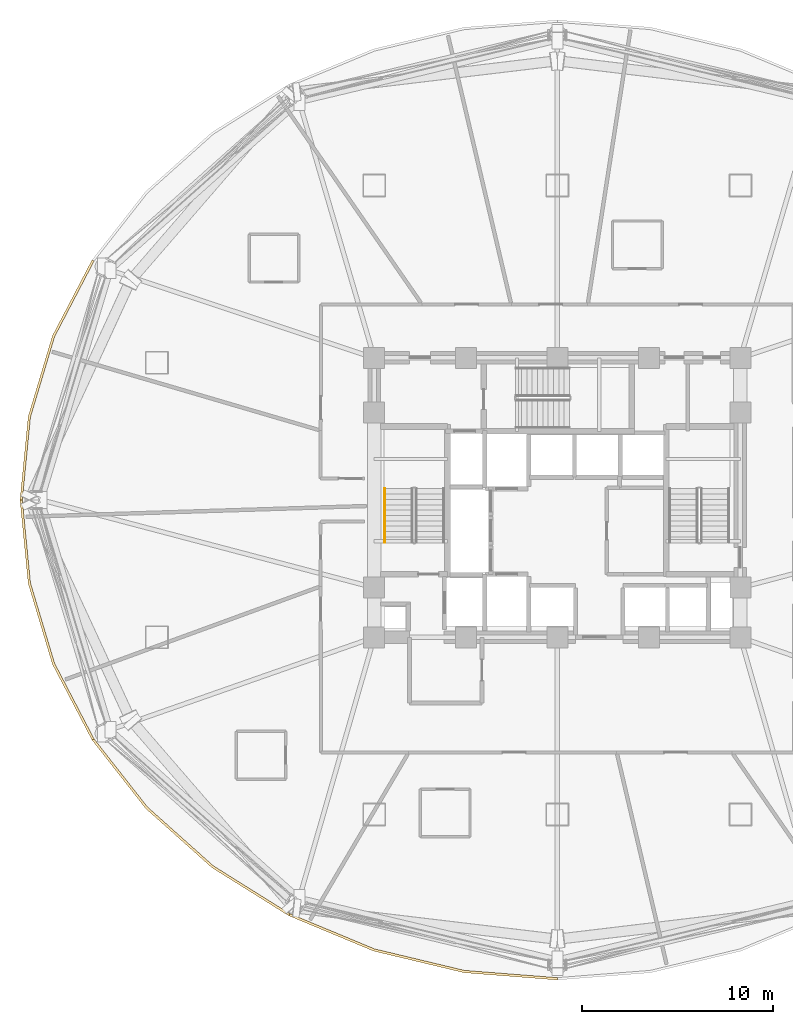
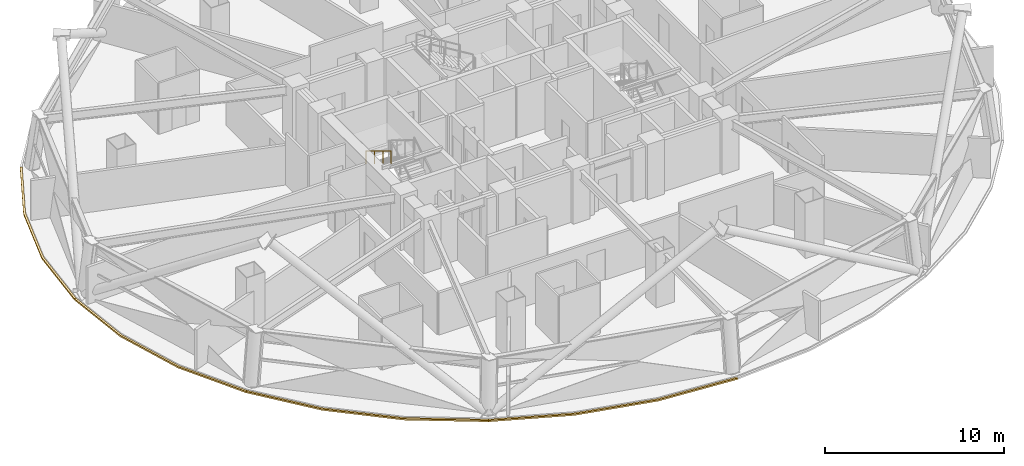
# One storey, part 9 of 13: 4 coverings, 1 railing.
"""IFC4 building model written with IfcOpenShell, lengths in metres."""

from ifc_helpers import new_model, si_unit, direction, frame, origin, origin_2d, place, context, subcontext, project, spatial, polyline, rectangle, outline, extrude, material, layer, layer_set, type_object, element, save


model = new_model("IFC4")

# Units and contexts
model_context = context("Model", 3, precision=1e-05, world=origin(), true_north=direction((0.0, 1.0)))
body_context = subcontext(model_context, "Body", "Model", "MODEL_VIEW")
ifc_project = project(units=[si_unit("LENGTHUNIT", "METRE"), si_unit("AREAUNIT", "SQUARE_METRE"), si_unit("VOLUMEUNIT", "CUBIC_METRE"), si_unit("PLANEANGLEUNIT", "RADIAN"), si_unit("MASSUNIT", "GRAM", prefix="KILO")], contexts=[model_context])

# Site, building, storey
site_placement = place(None, origin())
site = spatial("IfcSite", under=ifc_project, at=site_placement, CompositionType="ELEMENT")
building_placement = place(site_placement, origin())
building = spatial("IfcBuilding", under=site, at=building_placement, Name="Vantalir Tower", CompositionType="ELEMENT")
storey_placement = place(building_placement, frame((0.0, 0.0, 87.0)))
storey = spatial("IfcBuildingStorey", under=building, at=storey_placement, Name="L21", CompositionType="ELEMENT", Elevation=87.0)

# Coverings
ifc_material_1 = material(Name="Anodised champagne aluminium sill fascia", Category="aluminium")
ifc_layer = layer(ifc_material_1, 0.125)
ifc_layer_set = layer_set([ifc_layer], Name="Anodised champagne aluminium sill fascia")
covering_type = type_object("IfcCoveringType", Name="COV-SLAB-FASCIA-125", PredefinedType="CLADDING", material=ifc_layer_set)
covering_1_placement = place(storey_placement, frame((0.0, 0.0, -0.179931640625)))
element("IfcCovering", 1, at=covering_1_placement, inside=storey, type_object=covering_type, Name="L21 Perimeter Slab-Edge Sill Fascia 06", PredefinedType="CLADDING", context=body_context, shape_type="SweptSolid", body=[
    extrude(outline(polyline([(7.10009765625, 37.5849609375), (5.02392578125, 33.60888671875), (3.7529296875, 29.37109375), (3.324951171875, 25.0), (3.449951171875, 25.0), (3.8759765625, 29.34912109375), (5.14208984375, 33.56591796875), (7.2080078125, 37.52197265625), (7.10009765625, 37.5849609375)])), origin(), (0.0, 0.0, 1.0), 0.10498046875),
])
covering_2_placement = place(storey_placement, frame((0.0, 0.0, -0.179931640625)))
element("IfcCovering", 2, at=covering_2_placement, inside=storey, type_object=covering_type, Name="L21 Perimeter Slab-Edge Sill Fascia 07", PredefinedType="CLADDING", context=body_context, shape_type="SweptSolid", body=[
    extrude(outline(polyline([(3.324951171875, 25.0), (3.7529296875, 20.62890625), (5.02392578125, 16.39111328125), (7.10009765625, 12.4150390625), (7.2080078125, 12.47705078125), (5.14208984375, 16.43408203125), (3.8759765625, 20.65087890625), (3.449951171875, 25.0), (3.324951171875, 25.0)])), origin(), (0.0, 0.0, 1.0), 0.10498046875),
])
covering_3_placement = place(storey_placement, frame((0.0, 0.0, -0.179931640625)))
element("IfcCovering", 3, at=covering_3_placement, inside=storey, type_object=covering_type, Name="L21 Perimeter Slab-Edge Sill Fascia 08", PredefinedType="CLADDING", context=body_context, shape_type="SweptSolid", body=[
    extrude(outline(polyline([(7.10009765625, 12.4150390625), (9.9169921875, 8.821044921875), (13.388916015625, 5.718994140625), (17.412109375, 3.201904296875), (17.47509765625, 3.31005859375), (13.469970703125, 5.81396484375), (10.011962890625, 8.90087890625), (7.2080078125, 12.47705078125), (7.10009765625, 12.4150390625)])), origin(), (0.0, 0.0, 1.0), 0.10498046875),
])
covering_4_placement = place(storey_placement, frame((0.0, 0.0, -0.179931640625)))
element("IfcCovering", 4, at=covering_4_placement, inside=storey, type_object=covering_type, Name="L21 Perimeter Slab-Edge Sill Fascia 09", PredefinedType="CLADDING", context=body_context, shape_type="SweptSolid", body=[
    extrude(outline(polyline([(17.412109375, 3.201904296875), (21.864013671875, 1.347900390625), (26.60693359375, 0.2119140625), (31.5, -0.169921875), (31.5, -0.044921875), (26.62890625, 0.3349609375), (21.906005859375, 1.465087890625), (17.47509765625, 3.31005859375), (17.412109375, 3.201904296875)])), origin(), (0.0, 0.0, 1.0), 0.10498046875),
])

# Railing
ifc_material_2 = material(Name="Brushed stainless steel tubular handrail", Category="steel")
railing_type = type_object("IfcRailingType", Name="RAL-HANDRAIL-900", PredefinedType="HANDRAIL", material=ifc_material_2)
railing_placement = place(storey_placement, frame((22.449951171875, 25.590087890625, 2.04541015625)))
element("IfcRailing", 5, at=railing_placement, inside=storey, type_object=railing_type, Name="L21 ST1 stair handrail 2", PredefinedType="HANDRAIL", context=body_context, shape_type="SweptSolid", body=[
    extrude(rectangle(XDim=0.048095703125, YDim=0.048095703125, at=origin_2d()), frame((0.0, 0.0, 0.8759765625), z_axis=(0.0, -0.854169791009, 0.51999420009), x_axis=(1.0, 0.0, 0.0)), (0.0, 0.0, 1.0), 3.278076171875),
    extrude(rectangle(XDim=0.0419921875, YDim=0.0419921875, at=origin_2d()), origin(), (0.0, 0.0, 1.0), 0.851806640625),
    extrude(rectangle(XDim=0.0419921875, YDim=0.0419921875, at=origin_2d()), frame((0.0, -0.933349609375, 0.568115234375)), (0.0, 0.0, 1.0), 0.851806640625),
    extrude(rectangle(XDim=0.0419921875, YDim=0.0419921875, at=origin_2d()), frame((0.0, -1.86669921875, 1.136474609375)), (0.0, 0.0, 1.0), 0.851806640625),
    extrude(rectangle(XDim=0.0419921875, YDim=0.0419921875, at=origin_2d()), frame((0.0, -2.800048828125, 1.70458984375)), (0.0, 0.0, 1.0), 0.851806640625),
])

save(model, "model.ifc")
